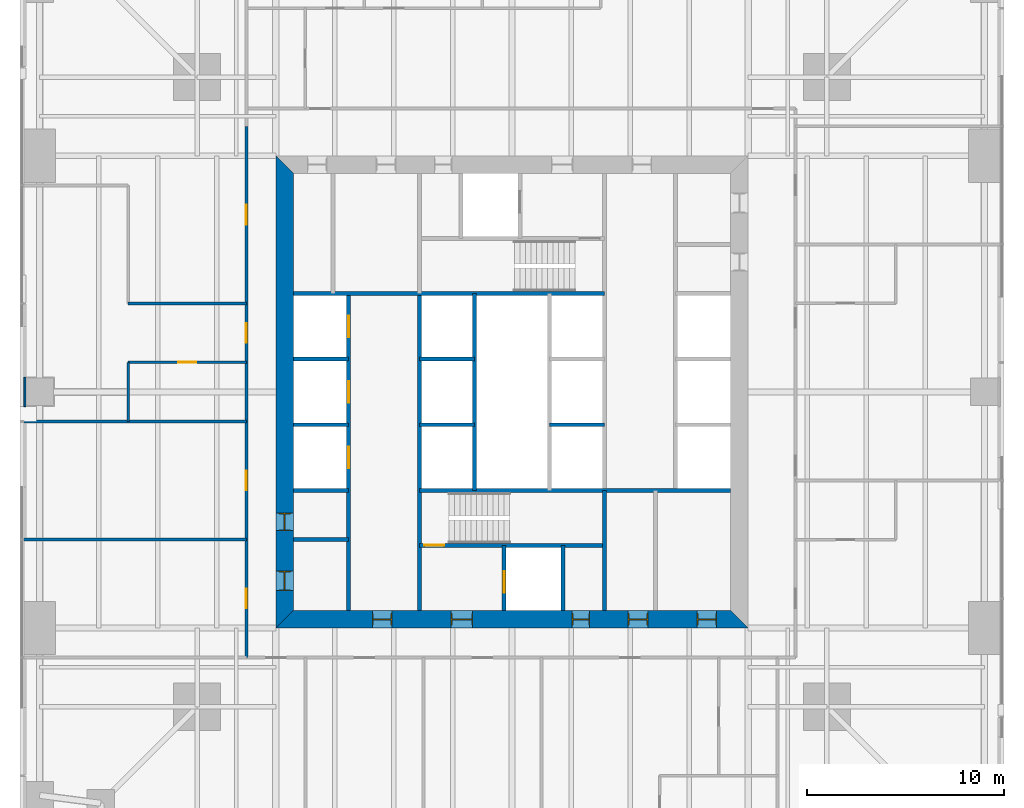
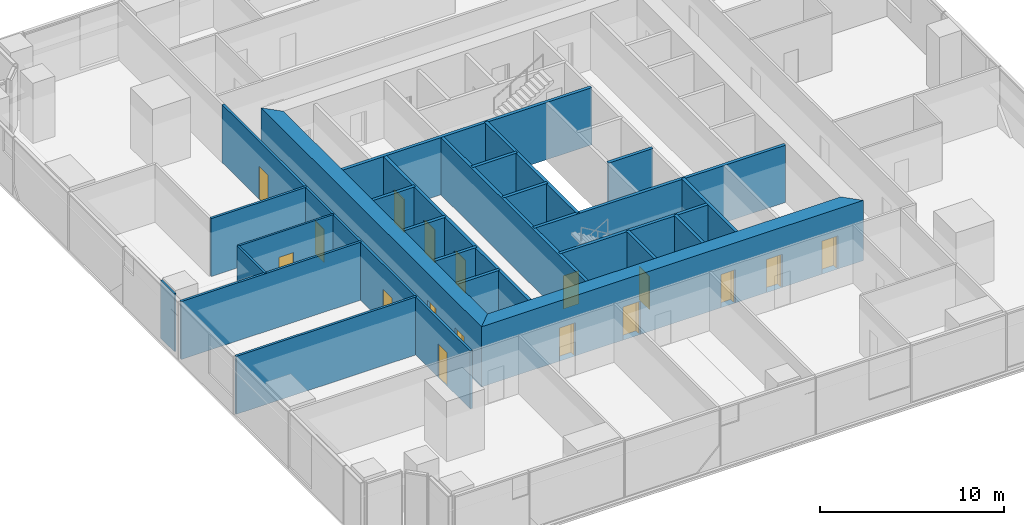
# One storey, part 9 of 13: 25 walls, 17 doors, 17 openings.
"""IFC4 building model written with IfcOpenShell, lengths in metres."""

from ifc_helpers import new_model, si_unit, direction, frame, frame_2d, origin, place, context, subcontext, project, spatial, polyline, rectangle, outline, extrude, material, layer, layer_set, type_object, element, fill, save


model = new_model("IFC4")

# Units and contexts
model_context = context("Model", 3, precision=1e-05, world=origin(), true_north=direction((0.0, 1.0)))
body_context = subcontext(model_context, "Body", "Model", "MODEL_VIEW")
ifc_project = project(units=[si_unit("LENGTHUNIT", "METRE"), si_unit("AREAUNIT", "SQUARE_METRE"), si_unit("VOLUMEUNIT", "CUBIC_METRE"), si_unit("PLANEANGLEUNIT", "RADIAN"), si_unit("MASSUNIT", "GRAM", prefix="KILO")], contexts=[model_context])

# Site, building, storey
site_placement = place(None, origin())
site = spatial("IfcSite", under=ifc_project, at=site_placement, CompositionType="ELEMENT")
building_placement = place(site_placement, origin())
building = spatial("IfcBuilding", under=site, at=building_placement, Name="Fenwick Lantern Interchange", CompositionType="ELEMENT")
storey_placement = place(building_placement, frame((0.0, 0.0, 63.0)))
storey = spatial("IfcBuildingStorey", under=building, at=storey_placement, Name="L14", CompositionType="ELEMENT", Elevation=63.0)

# Wall
ifc_material_1 = material(Name="Fire-rated gypsum board encasement on steel studs, 2 hour", Category="steel")
ifc_layer_1 = layer(ifc_material_1, 1.5)
ifc_layer_set_1 = layer_set([ifc_layer_1], Name="COLUMN PIER 1500")
wall_type_1 = type_object("IfcWallType", Name="COLUMN PIER 1500", PredefinedType="PARTITIONING", material=ifc_layer_set_1)
wall_1_placement = place(storey_placement, frame((0.199951171875, 25.0, 0.0), z_axis=(0.0, 0.0, 1.0), x_axis=(1.0, 0.0, 0.0)))
element("IfcWall", 1, at=wall_1_placement, inside=storey, type_object=wall_type_1, Name="L14/W/PIER/CW3", PredefinedType="PARTITIONING", context=body_context, shape_type="SweptSolid", body=[
    extrude(rectangle(XDim=0.10009765625, YDim=1.5, at=frame_2d((0.050048828125, 0.0))), origin(), (0.0, 0.0, 1.0), 3.85009765625),
])

# Wall, openings, doors
ifc_material_2 = material(Name="Concrete masonry ASTM C90 Grade N", Category="masonry")
ifc_layer_2 = layer(ifc_material_2, 0.199951171875)
ifc_layer_set_2 = layer_set([ifc_layer_2], Name="Concrete masonry ASTM C90 Grade N")
wall_type_2 = type_object("IfcWallType", Name="CORE PARTITION 200", PredefinedType="PARTITIONING", material=ifc_layer_set_2)
wall_2_placement = place(storey_placement, frame((16.699951171875, 13.89990234375, 0.0), z_axis=(0.0, 0.0, 1.0), x_axis=(0.0, 1.0, 0.0)))
wall_2 = element("IfcWall", 2, at=wall_2_placement, inside=storey, type_object=wall_type_2, Name="L14/W/CORES/a", PredefinedType="PARTITIONING", context=body_context, shape_type="SweptSolid", body=[
    extrude(rectangle(XDim=16.10009765625, YDim=0.199951171875, at=frame_2d((8.050048828125, 0.0))), origin(), (0.0, 0.0, 1.0), 3.800048828125),
])
opening_1_placement = place(wall_2_placement, frame((7.216552734375, 0.0, 0.0)))
opening_1 = element("IfcOpeningElement", 3, at=opening_1_placement, cuts=wall_2, Name="Opening LD-W1-1", PredefinedType="OPENING", context=body_context, shape_type="SweptSolid", body=[
    extrude(rectangle(XDim=1.10009765625, YDim=2.199951171875, at=frame_2d((0.550048828125, 1.10009765625))), frame((0.0, 0.10986328125, 0.0), z_axis=(0.0, -1.0, 0.0), x_axis=(1.0, 0.0, 0.0)), (0.0, 0.0, 1.0), 0.219970703125),
])
opening_2_placement = place(wall_2_placement, frame((10.550048828125, 0.0, 0.0)))
opening_2 = element("IfcOpeningElement", 4, at=opening_2_placement, cuts=wall_2, Name="Opening LD-W1-2", PredefinedType="OPENING", context=body_context, shape_type="SweptSolid", body=[
    extrude(rectangle(XDim=1.10009765625, YDim=2.199951171875, at=frame_2d((0.550048828125, 1.10009765625))), frame((0.0, 0.10986328125, 0.0), z_axis=(0.0, -1.0, 0.0), x_axis=(1.0, 0.0, 0.0)), (0.0, 0.0, 1.0), 0.219970703125),
])
opening_3_placement = place(wall_2_placement, frame((13.88330078125, 0.0, 0.0)))
opening_3 = element("IfcOpeningElement", 5, at=opening_3_placement, cuts=wall_2, Name="Opening LD-W1-3", PredefinedType="OPENING", context=body_context, shape_type="SweptSolid", body=[
    extrude(rectangle(XDim=1.10009765625, YDim=2.199951171875, at=frame_2d((0.550048828125, 1.10009765625))), frame((0.0, 0.10986328125, 0.0), z_axis=(0.0, -1.0, 0.0), x_axis=(1.0, 0.0, 0.0)), (0.0, 0.0, 1.0), 0.219970703125),
])
ifc_material_3 = material(Name="Steel door and frame", Category="steel")
door_type_1 = type_object("IfcDoorType", Name="LIFT LANDING DOOR 1100 X 2200", OperationType="DOUBLE_DOOR_SLIDING", PredefinedType="DOOR", material=ifc_material_3)
door_1_placement = place(opening_1_placement, origin())
door_1 = element("IfcDoor", 6, at=door_1_placement, inside=storey, type_object=door_type_1, Name="Lift landing door W1-1", OperationType="DOUBLE_DOOR_SLIDING", OverallHeight=2.199951171875, OverallWidth=1.10009765625, PredefinedType="DOOR", context=body_context, shape_type="SweptSolid", body=[
    extrude(rectangle(XDim=1.10009765625, YDim=2.199951171875, at=frame_2d((0.550048828125, 1.10009765625))), frame((0.0, 0.02490234375, 0.0), z_axis=(0.0, -1.0, 0.0), x_axis=(1.0, 0.0, 0.0)), (0.0, 0.0, 1.0), 0.050048828125),
])
fill(opening_1, door_1)
door_2_placement = place(opening_2_placement, origin())
door_2 = element("IfcDoor", 7, at=door_2_placement, inside=storey, type_object=door_type_1, Name="Lift landing door W1-2", OperationType="DOUBLE_DOOR_SLIDING", OverallHeight=2.199951171875, OverallWidth=1.10009765625, PredefinedType="DOOR", context=body_context, shape_type="SweptSolid", body=[
    extrude(rectangle(XDim=1.10009765625, YDim=2.199951171875, at=frame_2d((0.550048828125, 1.10009765625))), frame((0.0, 0.02490234375, 0.0), z_axis=(0.0, -1.0, 0.0), x_axis=(1.0, 0.0, 0.0)), (0.0, 0.0, 1.0), 0.050048828125),
])
fill(opening_2, door_2)
door_3_placement = place(opening_3_placement, origin())
door_3 = element("IfcDoor", 8, at=door_3_placement, inside=storey, type_object=door_type_1, Name="Lift landing door W1-3", OperationType="DOUBLE_DOOR_SLIDING", OverallHeight=2.199951171875, OverallWidth=1.10009765625, PredefinedType="DOOR", context=body_context, shape_type="SweptSolid", body=[
    extrude(rectangle(XDim=1.10009765625, YDim=2.199951171875, at=frame_2d((0.550048828125, 1.10009765625))), frame((0.0, 0.02490234375, 0.0), z_axis=(0.0, -1.0, 0.0), x_axis=(1.0, 0.0, 0.0)), (0.0, 0.0, 1.0), 0.050048828125),
])
fill(opening_3, door_3)

# Walls
for number, where, z_axis, x_axis, name in (
    (9, (13.89990234375, 20.0, 0.0), (0.0, 0.0, 1.0), (1.0, 0.0, 0.0), "L14/W/CORES/c2"),
    (10, (13.89990234375, 23.333251953125, 0.0), (0.0, 0.0, 1.0), (1.0, 0.0, 0.0), "L14/W/CORES/d1"),
    (11, (13.89990234375, 26.666748046875, 0.0), (0.0, 0.0, 1.0), (1.0, 0.0, 0.0), "L14/W/CORES/d2"),
    (12, (20.300048828125, 23.333251953125, 0.0), (0.0, 0.0, 1.0), (1.0, 0.0, 0.0), "L14/W/CORES/e1"),
    (13, (20.300048828125, 26.666748046875, 0.0), (0.0, 0.0, 1.0), (1.0, 0.0, 0.0), "L14/W/CORES/e2"),
):
    element("IfcWall", number, at=place(storey_placement, frame(where, z_axis=z_axis, x_axis=x_axis)), inside=storey, type_object=wall_type_2, Name=name, PredefinedType="PARTITIONING", context=body_context, shape_type="SweptSolid", body=[
        extrude(rectangle(XDim=2.800048828125, YDim=0.199951171875, at=frame_2d((1.39990234375, 0.0))), origin(), (0.0, 0.0, 1.0), 3.800048828125),
    ])
wall_3_placement = place(storey_placement, frame((23.10009765625, 20.0, 0.0), z_axis=(0.0, 0.0, 1.0), x_axis=(0.0, 1.0, 0.0)))
element("IfcWall", 14, at=wall_3_placement, inside=storey, type_object=wall_type_2, Name="L14/W/CORES/e3", PredefinedType="PARTITIONING", context=body_context, shape_type="SweptSolid", body=[
    extrude(rectangle(XDim=10.0, YDim=0.199951171875, at=frame_2d((5.0, 0.0))), origin(), (0.0, 0.0, 1.0), 3.800048828125),
])

# Wall, opening, door
wall_4_placement = place(storey_placement, frame((24.60009765625, 13.89990234375, 0.0), z_axis=(0.0, 0.0, 1.0), x_axis=(0.0, 1.0, 0.0)))
wall_4 = element("IfcWall", 15, at=wall_4_placement, inside=storey, type_object=wall_type_2, Name="L14/W/CORES/h1", PredefinedType="PARTITIONING", context=body_context, shape_type="SweptSolid", body=[
    extrude(rectangle(XDim=3.300048828125, YDim=0.199951171875, at=frame_2d((1.64990234375, 0.0))), origin(), (0.0, 0.0, 1.0), 3.800048828125),
])
opening_4_placement = place(wall_4_placement, frame((0.89990234375, 0.0, 0.0)))
opening_4 = element("IfcOpeningElement", 16, at=opening_4_placement, cuts=wall_4, Name="Opening LD-FL1", PredefinedType="OPENING", context=body_context, shape_type="SweptSolid", body=[
    extrude(rectangle(XDim=1.10009765625, YDim=2.199951171875, at=frame_2d((0.550048828125, 1.10009765625))), frame((0.0, 0.10986328125, 0.0), z_axis=(0.0, -1.0, 0.0), x_axis=(1.0, 0.0, 0.0)), (0.0, 0.0, 1.0), 0.219970703125),
])
door_4_placement = place(opening_4_placement, origin())
door_4 = element("IfcDoor", 17, at=door_4_placement, inside=storey, type_object=door_type_1, Name="Lift landing door FL1", OperationType="DOUBLE_DOOR_SLIDING", OverallHeight=2.199951171875, OverallWidth=1.10009765625, PredefinedType="DOOR", context=body_context, shape_type="SweptSolid", body=[
    extrude(rectangle(XDim=1.10009765625, YDim=2.199951171875, at=frame_2d((0.550048828125, 1.10009765625))), frame((0.0, 0.02490234375, 0.0), z_axis=(0.0, -1.0, 0.0), x_axis=(1.0, 0.0, 0.0)), (0.0, 0.0, 1.0), 0.050048828125),
])
fill(opening_4, door_4)

# Walls
wall_5_placement = place(storey_placement, frame((27.60009765625, 13.89990234375, 0.0), z_axis=(0.0, 0.0, 1.0), x_axis=(0.0, 1.0, 0.0)))
element("IfcWall", 18, at=wall_5_placement, inside=storey, type_object=wall_type_2, Name="L14/W/CORES/h2", PredefinedType="PARTITIONING", context=body_context, shape_type="SweptSolid", body=[
    extrude(rectangle(XDim=3.300048828125, YDim=0.199951171875, at=frame_2d((1.64990234375, 0.0))), origin(), (0.0, 0.0, 1.0), 3.800048828125),
])
for number, where, z_axis, x_axis, name in (
    (19, (13.89990234375, 17.5, 0.0), (0.0, 0.0, 1.0), (1.0, 0.0, 0.0), "L14/W/CORES/p1"),
    (20, (29.699951171875, 23.333251953125, 0.0), (0.0, 0.0, 1.0), (-1.0, 0.0, 0.0), "L14/W/COREN/e2"),
):
    element("IfcWall", number, at=place(storey_placement, frame(where, z_axis=z_axis, x_axis=x_axis)), inside=storey, type_object=wall_type_2, Name=name, PredefinedType="PARTITIONING", context=body_context, shape_type="SweptSolid", body=[
        extrude(rectangle(XDim=2.800048828125, YDim=0.199951171875, at=frame_2d((1.39990234375, 0.0))), origin(), (0.0, 0.0, 1.0), 3.800048828125),
    ])

# Wall, openings, doors
ifc_material_4 = material(Name="Concrete f'c 70 MPa", Category="concrete")
ifc_layer_3 = layer(ifc_material_4, 0.89990234375)
ifc_layer_set_3 = layer_set([ifc_layer_3], Name="CORE WALL 900")
wall_type_3 = type_object("IfcWallType", Name="CORE WALL 900", PredefinedType="SHEAR", material=ifc_layer_set_3)
wall_6_placement = place(storey_placement, frame((13.0, 13.449951171875, 0.0), z_axis=(0.0, 0.0, 1.0), x_axis=(1.0, 0.0, 0.0)))
wall_6 = element("IfcWall", 21, at=wall_6_placement, inside=storey, type_object=wall_type_3, Name="L14/CORE/S", PredefinedType="SHEAR", context=body_context, shape_type="SweptSolid", body=[
    extrude(outline(polyline([(0.0, -0.449951171875), (24.0, -0.449951171875), (23.10009765625, 0.449951171875), (0.89990234375, 0.449951171875), (0.0, -0.449951171875)])), origin(), (0.0, 0.0, 1.0), 4.0),
])
opening_5_placement = place(wall_6_placement, frame((4.89990234375, 0.0, 0.0)))
opening_5 = element("IfcOpeningElement", 22, at=opening_5_placement, cuts=wall_6, Name="Opening L14-D001", PredefinedType="OPENING", context=body_context, shape_type="SweptSolid", body=[
    extrude(rectangle(XDim=1.0, YDim=2.199951171875, at=frame_2d((0.5, 1.10009765625))), frame((0.0, 0.4599609375, 0.0), z_axis=(0.0, -1.0, 0.0), x_axis=(1.0, 0.0, 0.0)), (0.0, 0.0, 1.0), 0.919921875),
])
opening_6_placement = place(wall_6_placement, frame((8.89990234375, 0.0, 0.0)))
opening_6 = element("IfcOpeningElement", 23, at=opening_6_placement, cuts=wall_6, Name="Opening L14-D002", PredefinedType="OPENING", context=body_context, shape_type="SweptSolid", body=[
    extrude(rectangle(XDim=1.10009765625, YDim=2.199951171875, at=frame_2d((0.550048828125, 1.10009765625))), frame((0.0, 0.4599609375, 0.0), z_axis=(0.0, -1.0, 0.0), x_axis=(1.0, 0.0, 0.0)), (0.0, 0.0, 1.0), 0.919921875),
])
opening_7_placement = place(wall_6_placement, frame((15.050048828125, 0.0, 0.0)))
opening_7 = element("IfcOpeningElement", 24, at=opening_7_placement, cuts=wall_6, Name="Opening L14-D004", PredefinedType="OPENING", context=body_context, shape_type="SweptSolid", body=[
    extrude(rectangle(XDim=0.89990234375, YDim=2.199951171875, at=frame_2d((0.449951171875, 1.10009765625))), frame((0.0, 0.4599609375, 0.0), z_axis=(0.0, -1.0, 0.0), x_axis=(1.0, 0.0, 0.0)), (0.0, 0.0, 1.0), 0.919921875),
])
opening_8_placement = place(wall_6_placement, frame((17.89990234375, 0.0, 0.0)))
opening_8 = element("IfcOpeningElement", 25, at=opening_8_placement, cuts=wall_6, Name="Opening L14-D005", PredefinedType="OPENING", context=body_context, shape_type="SweptSolid", body=[
    extrude(rectangle(XDim=1.0, YDim=2.199951171875, at=frame_2d((0.5, 1.10009765625))), frame((0.0, 0.4599609375, 0.0), z_axis=(0.0, -1.0, 0.0), x_axis=(1.0, 0.0, 0.0)), (0.0, 0.0, 1.0), 0.919921875),
])
opening_9_placement = place(wall_6_placement, frame((21.39990234375, 0.0, 0.0)))
opening_9 = element("IfcOpeningElement", 26, at=opening_9_placement, cuts=wall_6, Name="Opening L14-D006", PredefinedType="OPENING", context=body_context, shape_type="SweptSolid", body=[
    extrude(rectangle(XDim=1.0, YDim=2.199951171875, at=frame_2d((0.5, 1.10009765625))), frame((0.0, 0.4599609375, 0.0), z_axis=(0.0, -1.0, 0.0), x_axis=(1.0, 0.0, 0.0)), (0.0, 0.0, 1.0), 0.919921875),
])
door_type_2 = type_object("IfcDoorType", Name="CORE LOBBY DOOR 1000 X 2200", OperationType="SINGLE_SWING_LEFT", PredefinedType="DOOR", material=ifc_material_3)
door_5_placement = place(opening_5_placement, origin())
door_5 = element("IfcDoor", 27, at=door_5_placement, inside=storey, type_object=door_type_2, Name="Core lobby door", OperationType="SINGLE_SWING_LEFT", OverallHeight=2.199951171875, OverallWidth=1.0, PredefinedType="DOOR", context=body_context, shape_type="SweptSolid", body=[
    extrude(rectangle(XDim=1.0, YDim=2.199951171875, at=frame_2d((0.5, 1.10009765625))), frame((0.0, 0.02490234375, 0.0), z_axis=(0.0, -1.0, 0.0), x_axis=(1.0, 0.0, 0.0)), (0.0, 0.0, 1.0), 0.050048828125),
    extrude(outline(polyline([(0.0, 0.0), (0.0400390625, 0.0), (0.0400390625, 2.159912109375), (0.9599609375, 2.159912109375), (0.9599609375, 0.0), (1.0, 0.0), (1.0, 2.199951171875), (0.0, 2.199951171875), (0.0, 0.0)])), frame((0.0, 0.300048828125, 0.0), z_axis=(0.0, -1.0, 0.0), x_axis=(1.0, 0.0, 0.0)), (0.0, 0.0, 1.0), 0.60009765625),
])
fill(opening_5, door_5)
door_type_3 = type_object("IfcDoorType", Name="FIRE LOBBY DOOR 1100 X 2200", OperationType="SINGLE_SWING_LEFT", PredefinedType="DOOR", material=ifc_material_3)
door_6_placement = place(opening_6_placement, origin())
door_6 = element("IfcDoor", 28, at=door_6_placement, inside=storey, type_object=door_type_3, Name="Fire lobby door", OperationType="SINGLE_SWING_LEFT", OverallHeight=2.199951171875, OverallWidth=1.10009765625, PredefinedType="DOOR", context=body_context, shape_type="SweptSolid", body=[
    extrude(rectangle(XDim=1.10009765625, YDim=2.199951171875, at=frame_2d((0.550048828125, 1.10009765625))), frame((0.0, 0.02490234375, 0.0), z_axis=(0.0, -1.0, 0.0), x_axis=(1.0, 0.0, 0.0)), (0.0, 0.0, 1.0), 0.050048828125),
    extrude(outline(polyline([(0.0, 0.0), (0.0400390625, 0.0), (0.0400390625, 2.159912109375), (1.06005859375, 2.159912109375), (1.06005859375, 0.0), (1.10009765625, 0.0), (1.10009765625, 2.199951171875), (0.0, 2.199951171875), (0.0, 0.0)])), frame((0.0, 0.300048828125, 0.0), z_axis=(0.0, -1.0, 0.0), x_axis=(1.0, 0.0, 0.0)), (0.0, 0.0, 1.0), 0.60009765625),
])
fill(opening_6, door_6)
door_type_4 = type_object("IfcDoorType", Name="SERVICE DOOR 900 X 2200", OperationType="SINGLE_SWING_LEFT", PredefinedType="DOOR", material=ifc_material_3)
door_7_placement = place(opening_7_placement, origin())
door_7 = element("IfcDoor", 29, at=door_7_placement, inside=storey, type_object=door_type_4, Name="Service door", OperationType="SINGLE_SWING_LEFT", OverallHeight=2.199951171875, OverallWidth=0.89990234375, PredefinedType="DOOR", context=body_context, shape_type="SweptSolid", body=[
    extrude(rectangle(XDim=0.89990234375, YDim=2.199951171875, at=frame_2d((0.449951171875, 1.10009765625))), frame((0.0, 0.02490234375, 0.0), z_axis=(0.0, -1.0, 0.0), x_axis=(1.0, 0.0, 0.0)), (0.0, 0.0, 1.0), 0.050048828125),
    extrude(outline(polyline([(0.0, 0.0), (0.0400390625, 0.0), (0.0400390625, 2.159912109375), (0.85986328125, 2.159912109375), (0.85986328125, 0.0), (0.89990234375, 0.0), (0.89990234375, 2.199951171875), (0.0, 2.199951171875), (0.0, 0.0)])), frame((0.0, 0.300048828125, 0.0), z_axis=(0.0, -1.0, 0.0), x_axis=(1.0, 0.0, 0.0)), (0.0, 0.0, 1.0), 0.60009765625),
])
fill(opening_7, door_7)
ifc_material_5 = material(Name="Hardwood door and steel frame", Category="steel")
door_type_5 = type_object("IfcDoorType", Name="WC DOOR 1000 X 2200", OperationType="SINGLE_SWING_LEFT", PredefinedType="DOOR", material=ifc_material_5)
door_8_placement = place(opening_8_placement, origin())
door_8 = element("IfcDoor", 30, at=door_8_placement, inside=storey, type_object=door_type_5, Name="Wc door", OperationType="SINGLE_SWING_RIGHT", OverallHeight=2.199951171875, OverallWidth=1.0, PredefinedType="DOOR", context=body_context, shape_type="SweptSolid", body=[
    extrude(rectangle(XDim=1.0, YDim=2.199951171875, at=frame_2d((0.5, 1.10009765625))), frame((0.0, 0.02490234375, 0.0), z_axis=(0.0, -1.0, 0.0), x_axis=(1.0, 0.0, 0.0)), (0.0, 0.0, 1.0), 0.050048828125),
    extrude(outline(polyline([(0.0, 0.0), (0.0400390625, 0.0), (0.0400390625, 2.159912109375), (0.9599609375, 2.159912109375), (0.9599609375, 0.0), (1.0, 0.0), (1.0, 2.199951171875), (0.0, 2.199951171875), (0.0, 0.0)])), frame((0.0, 0.300048828125, 0.0), z_axis=(0.0, -1.0, 0.0), x_axis=(1.0, 0.0, 0.0)), (0.0, 0.0, 1.0), 0.60009765625),
])
fill(opening_8, door_8)
door_9_placement = place(opening_9_placement, origin())
door_9 = element("IfcDoor", 31, at=door_9_placement, inside=storey, type_object=door_type_5, Name="Wc door", OperationType="SINGLE_SWING_RIGHT", OverallHeight=2.199951171875, OverallWidth=1.0, PredefinedType="DOOR", context=body_context, shape_type="SweptSolid", body=[
    extrude(rectangle(XDim=1.0, YDim=2.199951171875, at=frame_2d((0.5, 1.10009765625))), frame((0.0, 0.02490234375, 0.0), z_axis=(0.0, -1.0, 0.0), x_axis=(1.0, 0.0, 0.0)), (0.0, 0.0, 1.0), 0.050048828125),
    extrude(outline(polyline([(0.0, 0.0), (0.0400390625, 0.0), (0.0400390625, 2.159912109375), (0.9599609375, 2.159912109375), (0.9599609375, 0.0), (1.0, 0.0), (1.0, 2.199951171875), (0.0, 2.199951171875), (0.0, 0.0)])), frame((0.0, 0.300048828125, 0.0), z_axis=(0.0, -1.0, 0.0), x_axis=(1.0, 0.0, 0.0)), (0.0, 0.0, 1.0), 0.60009765625),
])
fill(opening_9, door_9)

wall_7_placement = place(storey_placement, frame((13.449951171875, 36.10009765625, 0.0), z_axis=(0.0, 0.0, 1.0), x_axis=(0.0, -1.0, 0.0)))
wall_7 = element("IfcWall", 32, at=wall_7_placement, inside=storey, type_object=wall_type_3, Name="L14/CORE/W", PredefinedType="SHEAR", context=body_context, shape_type="SweptSolid", body=[
    extrude(outline(polyline([(-0.89990234375, -0.449951171875), (23.10009765625, -0.449951171875), (22.199951171875, 0.449951171875), (0.0, 0.449951171875), (-0.89990234375, -0.449951171875)])), origin(), (0.0, 0.0, 1.0), 4.0),
])
opening_10_placement = place(wall_7_placement, frame((20.199951171875, 0.0, 0.0)))
opening_10 = element("IfcOpeningElement", 33, at=opening_10_placement, cuts=wall_7, Name="Opening L14-D007", PredefinedType="OPENING", context=body_context, shape_type="SweptSolid", body=[
    extrude(rectangle(XDim=1.0, YDim=2.199951171875, at=frame_2d((0.5, 1.10009765625))), frame((0.0, 0.4599609375, 0.0), z_axis=(0.0, -1.0, 0.0), x_axis=(1.0, 0.0, 0.0)), (0.0, 0.0, 1.0), 0.919921875),
])
opening_11_placement = place(wall_7_placement, frame((17.25, 0.0, 0.0)))
opening_11 = element("IfcOpeningElement", 34, at=opening_11_placement, cuts=wall_7, Name="Opening L14-D008", PredefinedType="OPENING", context=body_context, shape_type="SweptSolid", body=[
    extrude(rectangle(XDim=0.89990234375, YDim=2.199951171875, at=frame_2d((0.449951171875, 1.10009765625))), frame((0.0, 0.4599609375, 0.0), z_axis=(0.0, -1.0, 0.0), x_axis=(1.0, 0.0, 0.0)), (0.0, 0.0, 1.0), 0.919921875),
])
door_10_placement = place(opening_11_placement, origin())
door_10 = element("IfcDoor", 35, at=door_10_placement, inside=storey, type_object=door_type_4, Name="Service door", OperationType="SINGLE_SWING_RIGHT", OverallHeight=2.199951171875, OverallWidth=0.89990234375, PredefinedType="DOOR", context=body_context, shape_type="SweptSolid", body=[
    extrude(rectangle(XDim=0.89990234375, YDim=2.199951171875, at=frame_2d((0.449951171875, 1.10009765625))), frame((0.0, 0.02490234375, 0.0), z_axis=(0.0, -1.0, 0.0), x_axis=(1.0, 0.0, 0.0)), (0.0, 0.0, 1.0), 0.050048828125),
    extrude(outline(polyline([(0.0, 0.0), (0.0400390625, 0.0), (0.0400390625, 2.159912109375), (0.85986328125, 2.159912109375), (0.85986328125, 0.0), (0.89990234375, 0.0), (0.89990234375, 2.199951171875), (0.0, 2.199951171875), (0.0, 0.0)])), frame((0.0, 0.300048828125, 0.0), z_axis=(0.0, -1.0, 0.0), x_axis=(1.0, 0.0, 0.0)), (0.0, 0.0, 1.0), 0.60009765625),
])
fill(opening_11, door_10)
door_11_placement = place(opening_10_placement, origin())
door_11 = element("IfcDoor", 36, at=door_11_placement, inside=storey, type_object=door_type_5, Name="Wc door", OperationType="SINGLE_SWING_RIGHT", OverallHeight=2.199951171875, OverallWidth=1.0, PredefinedType="DOOR", context=body_context, shape_type="SweptSolid", body=[
    extrude(rectangle(XDim=1.0, YDim=2.199951171875, at=frame_2d((0.5, 1.10009765625))), frame((0.0, 0.02490234375, 0.0), z_axis=(0.0, -1.0, 0.0), x_axis=(1.0, 0.0, 0.0)), (0.0, 0.0, 1.0), 0.050048828125),
    extrude(outline(polyline([(0.0, 0.0), (0.0400390625, 0.0), (0.0400390625, 2.159912109375), (0.9599609375, 2.159912109375), (0.9599609375, 0.0), (1.0, 0.0), (1.0, 2.199951171875), (0.0, 2.199951171875), (0.0, 0.0)])), frame((0.0, 0.300048828125, 0.0), z_axis=(0.0, -1.0, 0.0), x_axis=(1.0, 0.0, 0.0)), (0.0, 0.0, 1.0), 0.60009765625),
])
fill(opening_10, door_11)

ifc_material_6 = material(Name="Gypsum board on steel studs, 1 hour", Category="steel")
ifc_layer_4 = layer(ifc_material_6, 0.14990234375)
ifc_layer_set_4 = layer_set([ifc_layer_4], Name="CORRIDOR WALL 150")
wall_type_4 = type_object("IfcWallType", Name="CORRIDOR WALL 150", PredefinedType="PARTITIONING", material=ifc_layer_set_4)
wall_8_placement = place(storey_placement, frame((11.5, 38.5, 0.0), z_axis=(0.0, 0.0, 1.0), x_axis=(0.0, -1.0, 0.0)))
wall_8 = element("IfcWall", 37, at=wall_8_placement, inside=storey, type_object=wall_type_4, Name="L14/W/OFF/W/CW", PredefinedType="PARTITIONING", context=body_context, shape_type="SweptSolid", body=[
    extrude(rectangle(XDim=27.0, YDim=0.14990234375, at=frame_2d((13.5, 0.0))), origin(), (0.0, 0.0, 1.0), 3.85009765625),
])
opening_12_placement = place(wall_8_placement, frame((4.0, 0.0, 0.0)))
opening_12 = element("IfcOpeningElement", 38, at=opening_12_placement, cuts=wall_8, Name="Opening L14-D035", PredefinedType="OPENING", context=body_context, shape_type="SweptSolid", body=[
    extrude(rectangle(XDim=1.0, YDim=2.199951171875, at=frame_2d((0.5, 1.10009765625))), frame((0.0, 0.0849609375, 0.0), z_axis=(0.0, -1.0, 0.0), x_axis=(1.0, 0.0, 0.0)), (0.0, 0.0, 1.0), 0.169921875),
])
opening_13_placement = place(wall_8_placement, frame((10.0, 0.0, 0.0)))
opening_13 = element("IfcOpeningElement", 39, at=opening_13_placement, cuts=wall_8, Name="Opening L14-D036", PredefinedType="OPENING", context=body_context, shape_type="SweptSolid", body=[
    extrude(rectangle(XDim=1.0, YDim=2.199951171875, at=frame_2d((0.5, 1.10009765625))), frame((0.0, 0.0849609375, 0.0), z_axis=(0.0, -1.0, 0.0), x_axis=(1.0, 0.0, 0.0)), (0.0, 0.0, 1.0), 0.169921875),
])
opening_14_placement = place(wall_8_placement, frame((17.5, 0.0, 0.0)))
opening_14 = element("IfcOpeningElement", 40, at=opening_14_placement, cuts=wall_8, Name="Opening L14-D038", PredefinedType="OPENING", context=body_context, shape_type="SweptSolid", body=[
    extrude(rectangle(XDim=1.0, YDim=2.199951171875, at=frame_2d((0.5, 1.10009765625))), frame((0.0, 0.0849609375, 0.0), z_axis=(0.0, -1.0, 0.0), x_axis=(1.0, 0.0, 0.0)), (0.0, 0.0, 1.0), 0.169921875),
])
opening_15_placement = place(wall_8_placement, frame((23.5, 0.0, 0.0)))
opening_15 = element("IfcOpeningElement", 41, at=opening_15_placement, cuts=wall_8, Name="Opening L14-D039", PredefinedType="OPENING", context=body_context, shape_type="SweptSolid", body=[
    extrude(rectangle(XDim=1.0, YDim=2.199951171875, at=frame_2d((0.5, 1.10009765625))), frame((0.0, 0.0849609375, 0.0), z_axis=(0.0, -1.0, 0.0), x_axis=(1.0, 0.0, 0.0)), (0.0, 0.0, 1.0), 0.169921875),
])
door_type_6 = type_object("IfcDoorType", Name="SUITE ENTRANCE DOOR 1000 X 2200", OperationType="SINGLE_SWING_LEFT", PredefinedType="DOOR", material=ifc_material_3)
door_12_placement = place(opening_12_placement, frame((1.0, 0.0, 0.0), z_axis=(0.0, 0.0, 1.0), x_axis=(-1.0, 0.0, 0.0)))
door_12 = element("IfcDoor", 42, at=door_12_placement, inside=storey, type_object=door_type_6, Name="Suite entrance door", OperationType="SINGLE_SWING_LEFT", OverallHeight=2.199951171875, OverallWidth=1.0, PredefinedType="DOOR", context=body_context, shape_type="SweptSolid", body=[
    extrude(rectangle(XDim=1.0, YDim=2.199951171875, at=frame_2d((0.5, 1.10009765625))), frame((0.0, 0.02490234375, 0.0), z_axis=(0.0, -1.0, 0.0), x_axis=(1.0, 0.0, 0.0)), (0.0, 0.0, 1.0), 0.050048828125),
])
fill(opening_12, door_12)
door_13_placement = place(opening_13_placement, frame((1.0, 0.0, 0.0), z_axis=(0.0, 0.0, 1.0), x_axis=(-1.0, 0.0, 0.0)))
door_13 = element("IfcDoor", 43, at=door_13_placement, inside=storey, type_object=door_type_6, Name="Suite entrance door", OperationType="SINGLE_SWING_RIGHT", OverallHeight=2.199951171875, OverallWidth=1.0, PredefinedType="DOOR", context=body_context, shape_type="SweptSolid", body=[
    extrude(rectangle(XDim=1.0, YDim=2.199951171875, at=frame_2d((0.5, 1.10009765625))), frame((0.0, 0.02490234375, 0.0), z_axis=(0.0, -1.0, 0.0), x_axis=(1.0, 0.0, 0.0)), (0.0, 0.0, 1.0), 0.050048828125),
])
fill(opening_13, door_13)
door_14_placement = place(opening_14_placement, frame((1.0, 0.0, 0.0), z_axis=(0.0, 0.0, 1.0), x_axis=(-1.0, 0.0, 0.0)))
door_14 = element("IfcDoor", 44, at=door_14_placement, inside=storey, type_object=door_type_6, Name="Suite entrance door", OperationType="SINGLE_SWING_RIGHT", OverallHeight=2.199951171875, OverallWidth=1.0, PredefinedType="DOOR", context=body_context, shape_type="SweptSolid", body=[
    extrude(rectangle(XDim=1.0, YDim=2.199951171875, at=frame_2d((0.5, 1.10009765625))), frame((0.0, 0.02490234375, 0.0), z_axis=(0.0, -1.0, 0.0), x_axis=(1.0, 0.0, 0.0)), (0.0, 0.0, 1.0), 0.050048828125),
])
fill(opening_14, door_14)
door_15_placement = place(opening_15_placement, frame((1.0, 0.0, 0.0), z_axis=(0.0, 0.0, 1.0), x_axis=(-1.0, 0.0, 0.0)))
door_15 = element("IfcDoor", 45, at=door_15_placement, inside=storey, type_object=door_type_6, Name="Suite entrance door", OperationType="SINGLE_SWING_RIGHT", OverallHeight=2.199951171875, OverallWidth=1.0, PredefinedType="DOOR", context=body_context, shape_type="SweptSolid", body=[
    extrude(rectangle(XDim=1.0, YDim=2.199951171875, at=frame_2d((0.5, 1.10009765625))), frame((0.0, 0.02490234375, 0.0), z_axis=(0.0, -1.0, 0.0), x_axis=(1.0, 0.0, 0.0)), (0.0, 0.0, 1.0), 0.050048828125),
])
fill(opening_15, door_15)

# Wall, opening, door
ifc_material_7 = material(Name="Gypsum board on steel studs, acoustic", Category="steel")
ifc_layer_5 = layer(ifc_material_7, 0.125)
ifc_layer_set_5 = layer_set([ifc_layer_5], Name="OFFICE PARTITION 125")
wall_type_5 = type_object("IfcWallType", Name="OFFICE PARTITION 125", PredefinedType="PARTITIONING", material=ifc_layer_set_5)
wall_9_placement = place(storey_placement, frame((5.5, 26.5, 0.0), z_axis=(0.0, 0.0, 1.0), x_axis=(1.0, 0.0, 0.0)))
wall_9 = element("IfcWall", 46, at=wall_9_placement, inside=storey, type_object=wall_type_5, Name="L14/W/OFF/W/X235-1", PredefinedType="PARTITIONING", context=body_context, shape_type="SweptSolid", body=[
    extrude(rectangle(XDim=6.0, YDim=0.125, at=frame_2d((3.0, 0.0))), origin(), (0.0, 0.0, 1.0), 3.85009765625),
])
opening_16_placement = place(wall_9_placement, frame((2.550048828125, 0.0, 0.0)))
opening_16 = element("IfcOpeningElement", 47, at=opening_16_placement, cuts=wall_9, Name="Opening L14-D037", PredefinedType="OPENING", context=body_context, shape_type="SweptSolid", body=[
    extrude(rectangle(XDim=0.89990234375, YDim=2.199951171875, at=frame_2d((0.449951171875, 1.10009765625))), frame((0.0, 0.072509765625, 0.0), z_axis=(0.0, -1.0, 0.0), x_axis=(1.0, 0.0, 0.0)), (0.0, 0.0, 1.0), 0.14501953125),
])
door_type_7 = type_object("IfcDoorType", Name="OFFICE DOOR 900 X 2200", OperationType="SINGLE_SWING_LEFT", PredefinedType="DOOR", material=ifc_material_5)
door_16_placement = place(opening_16_placement, frame((0.89990234375, 0.0, 0.0), z_axis=(0.0, 0.0, 1.0), x_axis=(-1.0, 0.0, 0.0)))
door_16 = element("IfcDoor", 48, at=door_16_placement, inside=storey, type_object=door_type_7, Name="Office door", OperationType="SINGLE_SWING_RIGHT", OverallHeight=2.199951171875, OverallWidth=0.89990234375, PredefinedType="DOOR", context=body_context, shape_type="SweptSolid", body=[
    extrude(rectangle(XDim=0.89990234375, YDim=2.199951171875, at=frame_2d((0.449951171875, 1.10009765625))), frame((0.0, 0.02490234375, 0.0), z_axis=(0.0, -1.0, 0.0), x_axis=(1.0, 0.0, 0.0)), (0.0, 0.0, 1.0), 0.050048828125),
])
fill(opening_16, door_16)

# Walls
wall_10_placement = place(storey_placement, frame((5.5, 26.5, 0.0), z_axis=(0.0, 0.0, 1.0), x_axis=(0.0, -1.0, 0.0)))
element("IfcWall", 49, at=wall_10_placement, inside=storey, type_object=wall_type_5, Name="L14/W/OFF/W/Y55-2", PredefinedType="PARTITIONING", context=body_context, shape_type="SweptSolid", body=[
    extrude(rectangle(XDim=3.0, YDim=0.125, at=frame_2d((1.5, 0.0))), origin(), (0.0, 0.0, 1.0), 3.85009765625),
])
ifc_material_8 = material(Name="Concrete f'c 45 MPa", Category="concrete")
ifc_layer_6 = layer(ifc_material_8, 0.199951171875)
ifc_layer_set_6 = layer_set([ifc_layer_6], Name="STAIR CORE WALL 200")
wall_type_6 = type_object("IfcWallType", Name="STAIR CORE WALL 200", PredefinedType="SOLIDWALL", material=ifc_layer_set_6)
wall_11_placement = place(storey_placement, frame((20.300048828125, 13.89990234375, 0.0), z_axis=(0.0, 0.0, 1.0), x_axis=(0.0, 1.0, 0.0)))
element("IfcWall", 50, at=wall_11_placement, inside=storey, type_object=wall_type_6, Name="L14/W/CORES/b", PredefinedType="SOLIDWALL", context=body_context, shape_type="SweptSolid", body=[
    extrude(rectangle(XDim=16.10009765625, YDim=0.199951171875, at=frame_2d((8.050048828125, 0.0))), origin(), (0.0, 0.0, 1.0), 3.800048828125),
])

# Wall, opening, door
wall_12_placement = place(storey_placement, frame((20.300048828125, 17.199951171875, 0.0), z_axis=(0.0, 0.0, 1.0), x_axis=(1.0, 0.0, 0.0)))
wall_12 = element("IfcWall", 51, at=wall_12_placement, inside=storey, type_object=wall_type_6, Name="L14/W/CORES/g1", PredefinedType="SOLIDWALL", context=body_context, shape_type="SweptSolid", body=[
    extrude(rectangle(XDim=9.39990234375, YDim=0.199951171875, at=frame_2d((4.699951171875, 0.0))), origin(), (0.0, 0.0, 1.0), 3.800048828125),
])
opening_17_placement = place(wall_12_placement, frame((0.25, 0.0, 0.0)))
opening_17 = element("IfcOpeningElement", 52, at=opening_17_placement, cuts=wall_12, Name="Opening L14-D003", PredefinedType="OPENING", context=body_context, shape_type="SweptSolid", body=[
    extrude(rectangle(XDim=1.0, YDim=2.199951171875, at=frame_2d((0.5, 1.10009765625))), frame((0.0, 0.10986328125, 0.0), z_axis=(0.0, -1.0, 0.0), x_axis=(1.0, 0.0, 0.0)), (0.0, 0.0, 1.0), 0.219970703125),
])
door_type_8 = type_object("IfcDoorType", Name="STAIR DOOR 1000 X 2200", OperationType="SINGLE_SWING_LEFT", PredefinedType="DOOR", material=ifc_material_3)
door_17_placement = place(opening_17_placement, origin())
door_17 = element("IfcDoor", 53, at=door_17_placement, inside=storey, type_object=door_type_8, Name="Stair door", OperationType="SINGLE_SWING_LEFT", OverallHeight=2.199951171875, OverallWidth=1.0, PredefinedType="DOOR", context=body_context, shape_type="SweptSolid", body=[
    extrude(rectangle(XDim=1.0, YDim=2.199951171875, at=frame_2d((0.5, 1.10009765625))), frame((0.0, 0.02490234375, 0.0), z_axis=(0.0, -1.0, 0.0), x_axis=(1.0, 0.0, 0.0)), (0.0, 0.0, 1.0), 0.050048828125),
])
fill(opening_17, door_17)

# Walls
wall_13_placement = place(storey_placement, frame((20.300048828125, 20.0, 0.0), z_axis=(0.0, 0.0, 1.0), x_axis=(1.0, 0.0, 0.0)))
element("IfcWall", 54, at=wall_13_placement, inside=storey, type_object=wall_type_6, Name="L14/W/CORES/g2", PredefinedType="SOLIDWALL", context=body_context, shape_type="SweptSolid", body=[
    extrude(rectangle(XDim=15.800048828125, YDim=0.199951171875, at=frame_2d((7.89990234375, 0.0))), origin(), (0.0, 0.0, 1.0), 3.800048828125),
])
wall_14_placement = place(storey_placement, frame((29.699951171875, 13.89990234375, 0.0), z_axis=(0.0, 0.0, 1.0), x_axis=(0.0, 1.0, 0.0)))
element("IfcWall", 55, at=wall_14_placement, inside=storey, type_object=wall_type_6, Name="L14/W/CORES/i1", PredefinedType="SOLIDWALL", context=body_context, shape_type="SweptSolid", body=[
    extrude(rectangle(XDim=6.10009765625, YDim=0.199951171875, at=frame_2d((3.050048828125, 0.0))), origin(), (0.0, 0.0, 1.0), 3.800048828125),
])
wall_15_placement = place(storey_placement, frame((29.699951171875, 30.0, 0.0), z_axis=(0.0, 0.0, 1.0), x_axis=(-1.0, 0.0, 0.0)))
element("IfcWall", 56, at=wall_15_placement, inside=storey, type_object=wall_type_6, Name="L14/W/COREN/g2", PredefinedType="SOLIDWALL", context=body_context, shape_type="SweptSolid", body=[
    extrude(rectangle(XDim=15.800048828125, YDim=0.199951171875, at=frame_2d((7.89990234375, 0.0))), origin(), (0.0, 0.0, 1.0), 3.800048828125),
])
ifc_material_9 = material(Name="Gypsum board on steel studs, 1 hour acoustic", Category="steel")
ifc_layer_7 = layer(ifc_material_9, 0.14990234375)
ifc_layer_set_7 = layer_set([ifc_layer_7], Name="TENANT WALL 150")
wall_type_7 = type_object("IfcWallType", Name="TENANT WALL 150", PredefinedType="PARTITIONING", material=ifc_layer_set_7)
wall_16_placement = place(storey_placement, frame((5.5, 29.5, 0.0), z_axis=(0.0, 0.0, 1.0), x_axis=(1.0, 0.0, 0.0)))
element("IfcWall", 57, at=wall_16_placement, inside=storey, type_object=wall_type_7, Name="L14/W/OFF/W/X205-1", PredefinedType="PARTITIONING", context=body_context, shape_type="SweptSolid", body=[
    extrude(rectangle(XDim=6.0, YDim=0.14990234375, at=frame_2d((3.0, 0.0))), origin(), (0.0, 0.0, 1.0), 3.85009765625),
])
for number, where, z_axis, x_axis, name in (
    (58, (0.14990234375, 23.5, 0.0), (0.0, 0.0, 1.0), (1.0, 0.0, 0.0), "L14/W/OFF/W/X265-1"),
    (59, (0.14990234375, 17.5, 0.0), (0.0, 0.0, 1.0), (1.0, 0.0, 0.0), "L14/W/OFF/W/X325-1"),
):
    element("IfcWall", number, at=place(storey_placement, frame(where, z_axis=z_axis, x_axis=x_axis)), inside=storey, type_object=wall_type_7, Name=name, PredefinedType="PARTITIONING", context=body_context, shape_type="SweptSolid", body=[
        extrude(rectangle(XDim=11.35009765625, YDim=0.14990234375, at=frame_2d((5.675048828125, 0.0))), origin(), (0.0, 0.0, 1.0), 3.85009765625),
    ])

save(model, "model.ifc")
